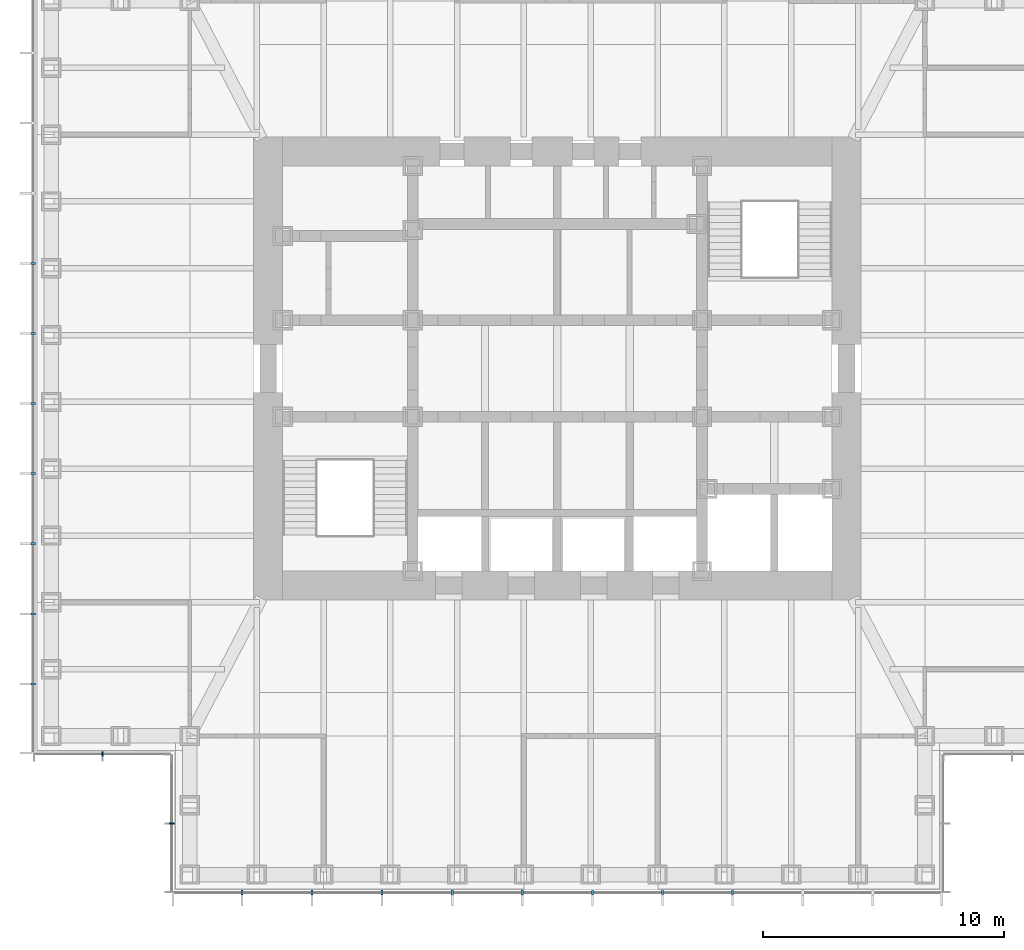
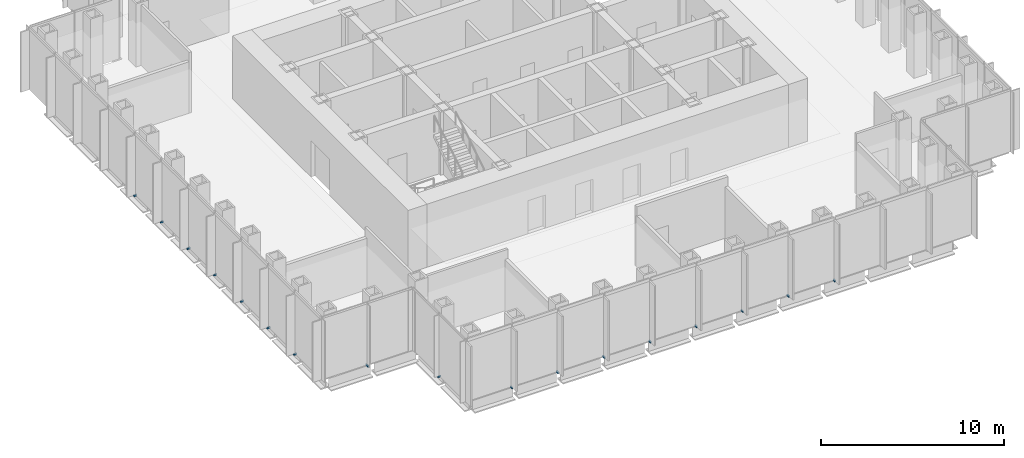
# One storey, part 11 of 16: 17 discrete accessories.
"""IFC4 building model written with IfcOpenShell, lengths in metres."""

from ifc_helpers import new_model, si_unit, direction, frame, origin, origin_2d, place, context, subcontext, project, spatial, rectangle, extrude, element, save


model = new_model("IFC4")

# Units and contexts
model_context = context("Model", 3, precision=1e-05, world=origin(), true_north=direction((0.0, 1.0)))
body_context = subcontext(model_context, "Body", "Model", "MODEL_VIEW")
ifc_project = project(units=[si_unit("LENGTHUNIT", "METRE"), si_unit("AREAUNIT", "SQUARE_METRE"), si_unit("VOLUMEUNIT", "CUBIC_METRE"), si_unit("PLANEANGLEUNIT", "RADIAN"), si_unit("MASSUNIT", "GRAM", prefix="KILO")], contexts=[model_context])

# Site, building, storey
site_placement = place(None, origin())
site = spatial("IfcSite", under=ifc_project, at=site_placement, CompositionType="ELEMENT")
building_placement = place(site_placement, origin())
building = spatial("IfcBuilding", under=site, at=building_placement, Name="Daluyong Arena Tower", CompositionType="ELEMENT")
storey_placement = place(building_placement, frame((0.0, 0.0, 254.5)))
storey = spatial("IfcBuildingStorey", under=building, at=storey_placement, Name="L57", CompositionType="ELEMENT", Elevation=254.5)

# Discrete accessories
for number, where, z_axis, x_axis, name in (
    (1, (42.9091796875, 58.25, -0.10009765625), (0.0, 0.0, 1.0), (1.0, 0.0, 0.0), "curtain wall L57 S anchor bracket 2"),
    (2, (45.818115234375, 58.25, -0.10009765625), (0.0, 0.0, 1.0), (1.0, 0.0, 0.0), "curtain wall L57 S anchor bracket 3"),
    (3, (48.727294921875, 58.25, -0.10009765625), (0.0, 0.0, 1.0), (1.0, 0.0, 0.0), "curtain wall L57 S anchor bracket 4"),
    (4, (51.636474609375, 58.25, -0.10009765625), (0.0, 0.0, 1.0), (1.0, 0.0, 0.0), "curtain wall L57 S anchor bracket 5"),
    (5, (54.54541015625, 58.25, -0.10009765625), (0.0, 0.0, 1.0), (1.0, 0.0, 0.0), "curtain wall L57 S anchor bracket 6"),
    (6, (57.45458984375, 58.25, -0.10009765625), (0.0, 0.0, 1.0), (1.0, 0.0, 0.0), "curtain wall L57 S anchor bracket 7"),
    (7, (60.363525390625, 58.25, -0.10009765625), (0.0, 0.0, 1.0), (1.0, 0.0, 0.0), "curtain wall L57 S anchor bracket 8"),
    (8, (63.272705078125, 58.25, -0.10009765625), (0.0, 0.0, 1.0), (1.0, 0.0, 0.0), "curtain wall L57 S anchor bracket 9"),
    (9, (34.25, 84.363525390625, -0.10009765625), (0.0, 0.0, 1.0), (0.0, -1.0, 0.0), "curtain wall L57 W anchor bracket 5"),
    (10, (34.25, 81.45458984375, -0.10009765625), (0.0, 0.0, 1.0), (0.0, -1.0, 0.0), "curtain wall L57 W anchor bracket 6"),
    (11, (34.25, 78.54541015625, -0.10009765625), (0.0, 0.0, 1.0), (0.0, -1.0, 0.0), "curtain wall L57 W anchor bracket 7"),
    (12, (34.25, 75.636474609375, -0.10009765625), (0.0, 0.0, 1.0), (0.0, -1.0, 0.0), "curtain wall L57 W anchor bracket 8"),
    (13, (34.25, 72.727294921875, -0.10009765625), (0.0, 0.0, 1.0), (0.0, -1.0, 0.0), "curtain wall L57 W anchor bracket 9"),
    (14, (34.25, 69.818115234375, -0.10009765625), (0.0, 0.0, 1.0), (0.0, -1.0, 0.0), "curtain wall L57 W anchor bracket 10"),
    (15, (34.25, 66.9091796875, -0.10009765625), (0.0, 0.0, 1.0), (0.0, -1.0, 0.0), "curtain wall L57 W anchor bracket 11"),
):
    element("IfcDiscreteAccessory", number, at=place(storey_placement, frame(where, z_axis=z_axis, x_axis=x_axis)), inside=storey, Name=name, PredefinedType="BRACKET", context=body_context, shape_type="SweptSolid", body=[
        extrude(rectangle(XDim=0.090087890625, YDim=0.199951171875, at=origin_2d()), origin(), (0.0, 0.0, 1.0), 0.10009765625),
    ])
for number, where, z_axis, x_axis, name in (
    (16, (37.125, 64.0, -0.10009765625), (0.0, 0.0, 1.0), (1.0, 0.0, 0.0), "curtain wall L57 SW-S anchor bracket 2"),
    (17, (40.0, 61.125, -0.10009765625), (0.0, 0.0, 1.0), (0.0, -1.0, 0.0), "curtain wall L57 SW-W anchor bracket 2"),
):
    element("IfcDiscreteAccessory", number, at=place(storey_placement, frame(where, z_axis=z_axis, x_axis=x_axis)), inside=storey, Name=name, PredefinedType="BRACKET", context=body_context, shape_type="SweptSolid", body=[
        extrude(rectangle(XDim=0.06005859375, YDim=0.199951171875, at=origin_2d()), origin(), (0.0, 0.0, 1.0), 0.10009765625),
    ])

save(model, "model.ifc")
